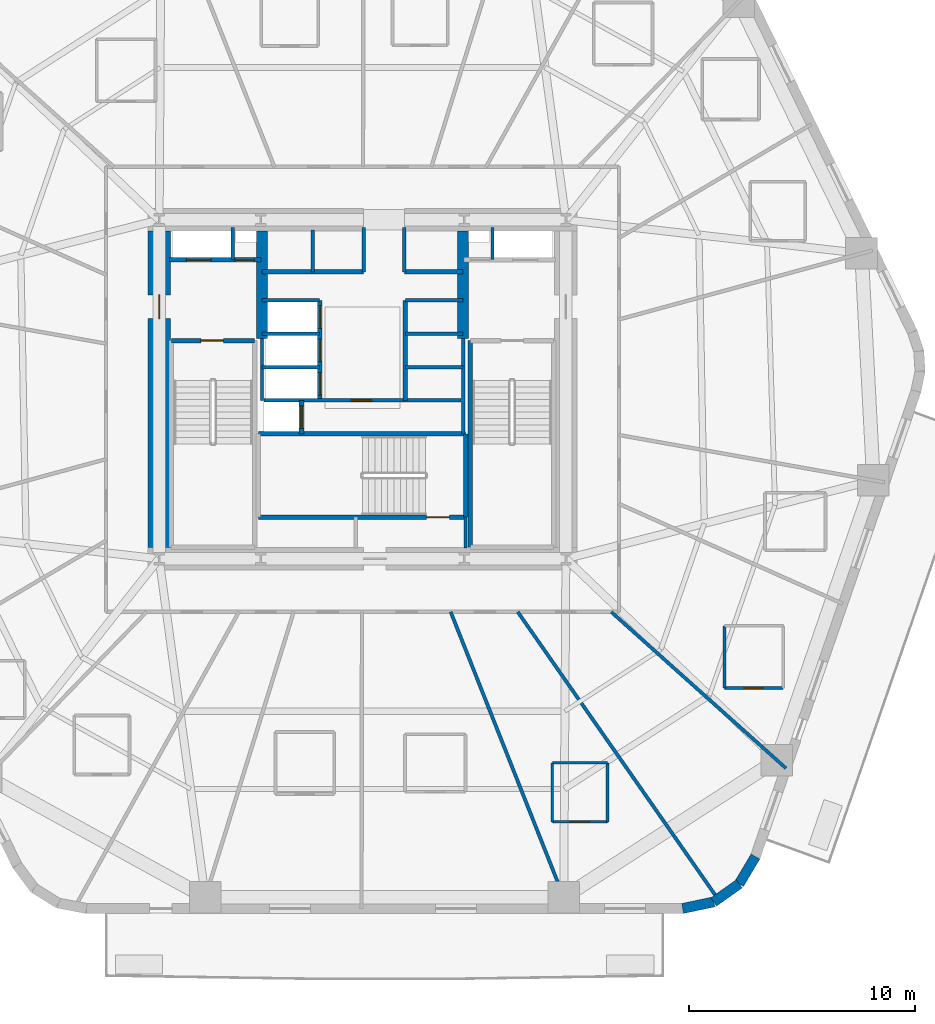
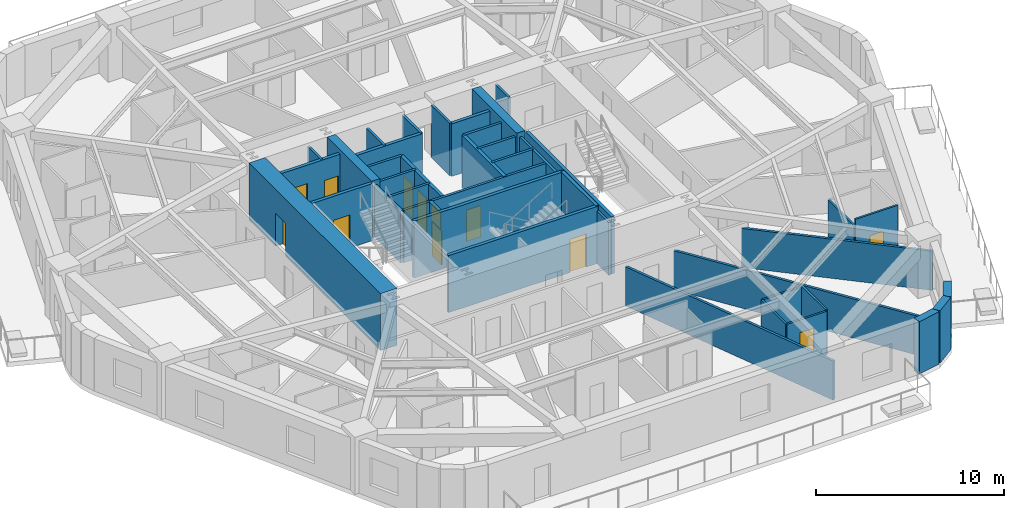
# One storey, part 4 of 11: 41 walls, 12 doors, 12 openings.
"""IFC4 building model written with IfcOpenShell, lengths in metres."""

from ifc_helpers import new_model, si_unit, direction, frame, frame_2d, origin, place, context, subcontext, project, spatial, rectangle, extrude, material, layer, layer_set, type_object, element, fill, save


model = new_model("IFC4")

# Units and contexts
model_context = context("Model", 3, precision=1e-05, world=origin(), true_north=direction((0.0, 1.0)))
body_context = subcontext(model_context, "Body", "Model", "MODEL_VIEW")
ifc_project = project(units=[si_unit("LENGTHUNIT", "METRE"), si_unit("AREAUNIT", "SQUARE_METRE"), si_unit("VOLUMEUNIT", "CUBIC_METRE"), si_unit("PLANEANGLEUNIT", "RADIAN"), si_unit("MASSUNIT", "GRAM", prefix="KILO")], contexts=[model_context])

# Site, building, storey
site_placement = place(None, origin())
site = spatial("IfcSite", under=ifc_project, at=site_placement, CompositionType="ELEMENT")
building_placement = place(site_placement, origin())
building = spatial("IfcBuilding", under=site, at=building_placement, Name="Kilnhurst Terrace Hotel", CompositionType="ELEMENT")
storey_placement = place(building_placement, frame((0.0, 0.0, 37.89990234375)))
storey = spatial("IfcBuildingStorey", under=building, at=storey_placement, Name="L07", CompositionType="ELEMENT", Elevation=37.89990234375)

# Walls
ifc_material_1 = material(Name="Precast concrete C40/50", Category="concrete")
ifc_layer_1 = layer(ifc_material_1, 0.449951171875, Name="Precast concrete C40/50")
ifc_layer_set_1 = layer_set([ifc_layer_1], Name="Precast concrete C40/50")
wall_type_1 = type_object("IfcWallType", Name="WL-BRK-450", PredefinedType="SOLIDWALL", material=ifc_layer_set_1)
wall_1_placement = place(storey_placement, frame((14.168212890625, -22.97509765625, 0.0), z_axis=(0.0, 0.0, 1.0), x_axis=(0.978770371074, 0.204959900243, 0.0)))
element("IfcWall", 1, at=wall_1_placement, inside=storey, type_object=wall_type_1, Name="L07 Rounded Corner Brick Wall C2.1", PredefinedType="SOLIDWALL", context=body_context, shape_type="SweptSolid", body=[
    extrude(rectangle(XDim=1.405517578125, YDim=0.449951171875, at=frame_2d((0.70263671875, 0.0))), origin(), (0.0, 0.0, 1.0), 3.400146484375),
])
wall_2_placement = place(storey_placement, frame((15.5439453125, -22.68701171875, 0.0), z_axis=(0.0, 0.0, 1.0), x_axis=(0.814210854316, 0.580569276412, 0.0)))
element("IfcWall", 2, at=wall_2_placement, inside=storey, type_object=wall_type_1, Name="L07 Rounded Corner Brick Wall C2.2", PredefinedType="SOLIDWALL", context=body_context, shape_type="SweptSolid", body=[
    extrude(rectangle(XDim=1.38134765625, YDim=0.449951171875, at=frame_2d((0.690673828125, 0.0))), origin(), (0.0, 0.0, 1.0), 3.400146484375),
])
wall_3_placement = place(storey_placement, frame((16.668701171875, -21.885009765625, 0.0), z_axis=(0.0, 0.0, 1.0), x_axis=(0.512936712947, 0.858426425799, 0.0)))
element("IfcWall", 3, at=wall_3_placement, inside=storey, type_object=wall_type_1, Name="L07 Rounded Corner Brick Wall C2.3", PredefinedType="SOLIDWALL", context=body_context, shape_type="SweptSolid", body=[
    extrude(rectangle(XDim=1.405517578125, YDim=0.449951171875, at=frame_2d((0.70263671875, 0.0))), origin(), (0.0, 0.0, 1.0), 3.400146484375),
])

# Wall, opening, door
ifc_material_2 = material(Name="Concrete C80/95", Category="concrete")
ifc_layer_2 = layer(ifc_material_2, 1.0, Name="Concrete C80/95")
ifc_layer_set_2 = layer_set([ifc_layer_2], Name="Concrete C80/95")
wall_type_2 = type_object("IfcWallType", Name="WL-CORE-1000", PredefinedType="SHEAR", material=ifc_layer_set_2)
wall_4_placement = place(storey_placement, frame((-9.0, -7.0, 0.0), z_axis=(0.0, 0.0, 1.0), x_axis=(0.0, 1.0, 0.0)))
wall_4 = element("IfcWall", 4, at=wall_4_placement, inside=storey, type_object=wall_type_2, Name="L07 Core West Shear Wall", PredefinedType="SHEAR", context=body_context, shape_type="SweptSolid", body=[
    extrude(rectangle(XDim=14.0, YDim=1.0, at=frame_2d((7.0, 0.0))), origin(), (0.0, 0.0, 1.0), 3.7001953125),
])
opening_1_placement = place(wall_4_placement, frame((10.125, 0.0, 0.0)))
opening_1 = element("IfcOpeningElement", 5, at=opening_1_placement, cuts=wall_4, Name="Opening D-90A", PredefinedType="OPENING", context=body_context, shape_type="SweptSolid", body=[
    extrude(rectangle(XDim=1.050048828125, YDim=2.14990234375, at=frame_2d((0.52490234375, 1.074951171875))), frame((0.0, 0.510009765625, 0.0), z_axis=(0.0, -1.0, 0.0), x_axis=(1.0, 0.0, 0.0)), (0.0, 0.0, 1.0), 1.02001953125),
])
ifc_material_3 = material(Name="Painted Hollow Metal Steel ASTM A36 Fire Door", Category="steel")
door_type_1 = type_object("IfcDoorType", Name="DR-FD90-1050", OperationType="NOTDEFINED", PredefinedType="DOOR", material=ifc_material_3)
door_1_placement = place(opening_1_placement, origin())
door_1 = element("IfcDoor", 6, at=door_1_placement, inside=storey, type_object=door_type_1, Name="L07 West Firefighting Lobby Door", OperationType="SINGLE_SWING_RIGHT", OverallHeight=2.14990234375, OverallWidth=1.050048828125, PredefinedType="DOOR", context=body_context, shape_type="SweptSolid", body=[
    extrude(rectangle(XDim=1.050048828125, YDim=2.14990234375, at=frame_2d((0.52490234375, 1.074951171875))), frame((0.0, 0.02490234375, 0.0), z_axis=(0.0, -1.0, 0.0), x_axis=(1.0, 0.0, 0.0)), (0.0, 0.0, 1.0), 0.050048828125),
])
fill(opening_1, door_1)

# Walls
ifc_material_4 = material(Name="Concrete C60/75", Category="concrete")
ifc_layer_3 = layer(ifc_material_4, 0.5, Name="Concrete C60/75")
ifc_layer_set_3 = layer_set([ifc_layer_3], Name="Concrete C60/75")
wall_type_3 = type_object("IfcWallType", Name="WL-CORE-WEB-500", PredefinedType="SHEAR", material=ifc_layer_set_3)
for number, where, z_axis, x_axis, name in (
    (7, (-4.449951171875, 2.25, 0.0), (0.0, 0.0, 1.0), (0.0, 1.0, 0.0), "L07 Core Internal West Shear Web"),
    (8, (4.449951171875, 2.25, 0.0), (0.0, 0.0, 1.0), (0.0, 1.0, 0.0), "L07 Core Internal East Shear Web"),
):
    element("IfcWall", number, at=place(storey_placement, frame(where, z_axis=z_axis, x_axis=x_axis)), inside=storey, type_object=wall_type_3, Name=name, PredefinedType="SHEAR", context=body_context, shape_type="SweptSolid", body=[
        extrude(rectangle(XDim=4.75, YDim=0.5, at=frame_2d((2.375, 0.0))), origin(), (0.0, 0.0, 1.0), 3.7001953125),
    ])
ifc_material_5 = material(Name="STC-58 Acoustic Twin-Frame Guestroom Demising Partition")
ifc_layer_4 = layer(ifc_material_5, 0.14990234375, Name="STC-58 Acoustic Twin-Frame Guestroom Demising Partition")
ifc_layer_set_4 = layer_set([ifc_layer_4], Name="STC-58 Acoustic Twin-Frame Guestroom Demising Partition")
wall_type_4 = type_object("IfcWallType", Name="WL-DEM-150", PredefinedType="PARTITIONING", material=ifc_layer_set_4)
wall_5_placement = place(storey_placement, frame((3.90185546875, -9.85009765625, 0.0), z_axis=(0.0, 0.0, 1.0), x_axis=(0.36828765711, -0.929711891728, 0.0)))
element("IfcWall", 9, at=wall_5_placement, inside=storey, type_object=wall_type_4, Name="L07 Interior Wall WL-L07-DEM-COL10-17-1", PredefinedType="PARTITIONING", context=body_context, shape_type="SweptSolid", body=[
    extrude(rectangle(XDim=14.1171875, YDim=0.14990234375, at=frame_2d((7.05859375, 0.0))), origin(), (0.0, 0.0, 1.0), 2.5400390625),
])
wall_6_placement = place(storey_placement, frame((6.869384765625, -9.85009765625, 0.0), z_axis=(0.0, 0.0, 1.0), x_axis=(0.572039834497, -0.820225839479, 0.0)))
element("IfcWall", 10, at=wall_6_placement, inside=storey, type_object=wall_type_4, Name="L07 Interior Wall WL-L07-DEM-MID10-18-1", PredefinedType="PARTITIONING", context=body_context, shape_type="SweptSolid", body=[
    extrude(rectangle(XDim=15.3291015625, YDim=0.14990234375, at=frame_2d((7.66455078125, 0.0))), origin(), (0.0, 0.0, 1.0), 2.5400390625),
])
wall_7_placement = place(storey_placement, frame((11.006591796875, -9.85009765625, 0.0), z_axis=(0.0, 0.0, 1.0), x_axis=(0.745177305978, -0.666866390407, 0.0)))
element("IfcWall", 11, at=wall_7_placement, inside=storey, type_object=wall_type_4, Name="L07 Interior Wall WL-L07-DEM-COL11-19-1", PredefinedType="PARTITIONING", context=body_context, shape_type="SweptSolid", body=[
    extrude(rectangle(XDim=10.375244140625, YDim=0.14990234375, at=frame_2d((5.1875, 0.0))), origin(), (0.0, 0.0, 1.0), 2.5400390625),
])

# Wall, opening, door
ifc_material_6 = material(Name="120 mm Moisture-Resistant Tile-Backed Bathroom Partition")
ifc_layer_5 = layer(ifc_material_6, 0.1201171875, Name="120 mm Moisture-Resistant Tile-Backed Bathroom Partition")
ifc_layer_set_5 = layer_set([ifc_layer_5], Name="120 mm Moisture-Resistant Tile-Backed Bathroom Partition")
wall_type_5 = type_object("IfcWallType", Name="WL-PART-120", PredefinedType="PARTITIONING", material=ifc_layer_set_5)
wall_8_placement = place(storey_placement, frame((8.39697265625, -19.14208984375, 0.0), z_axis=(0.0, 0.0, 1.0), x_axis=(1.0, 0.0, 0.0)))
wall_8 = element("IfcWall", 12, at=wall_8_placement, inside=storey, type_object=wall_type_5, Name="L07 Interior Wall WL-L07-BTH-17-1", PredefinedType="PARTITIONING", context=body_context, shape_type="SweptSolid", body=[
    extrude(rectangle(XDim=2.43994140625, YDim=0.1201171875, at=frame_2d((1.219970703125, 0.0))), origin(), (0.0, 0.0, 1.0), 2.840087890625),
])
opening_2_placement = place(wall_8_placement, frame((0.794921875, 0.0, 0.0)))
opening_2 = element("IfcOpeningElement", 13, at=opening_2_placement, cuts=wall_8, Name="Opening D-08A", PredefinedType="OPENING", context=body_context, shape_type="SweptSolid", body=[
    extrude(rectangle(XDim=0.85009765625, YDim=2.030029296875, at=frame_2d((0.425048828125, 1.01513671875))), frame((0.0, 0.070068359375, 0.0), z_axis=(0.0, -1.0, 0.0), x_axis=(1.0, 0.0, 0.0)), (0.0, 0.0, 1.0), 0.14013671875),
])
ifc_material_7 = material(Name="Moisture-Resistant Lacquered En-suite Bathroom Door")
door_type_2 = type_object("IfcDoorType", Name="DR-INT-850", OperationType="NOTDEFINED", PredefinedType="DOOR", material=ifc_material_7)
door_2_placement = place(opening_2_placement, origin())
door_2 = element("IfcDoor", 14, at=door_2_placement, inside=storey, type_object=door_type_2, Name="L07 En-suite Bathroom Door 17", OperationType="SINGLE_SWING_RIGHT", OverallHeight=2.030029296875, OverallWidth=0.85009765625, PredefinedType="DOOR", context=body_context, shape_type="SweptSolid", body=[
    extrude(rectangle(XDim=0.85009765625, YDim=2.030029296875, at=frame_2d((0.425048828125, 1.01513671875))), frame((0.0, 0.02490234375, 0.0), z_axis=(0.0, -1.0, 0.0), x_axis=(1.0, 0.0, 0.0)), (0.0, 0.0, 1.0), 0.050048828125),
])
fill(opening_2, door_2)

# Walls
wall_9_placement = place(storey_placement, frame((10.8369140625, -19.14208984375, 0.0), z_axis=(0.0, 0.0, 1.0), x_axis=(0.0, 1.0, 0.0)))
element("IfcWall", 15, at=wall_9_placement, inside=storey, type_object=wall_type_5, Name="L07 Interior Wall WL-L07-BTH-17-2", PredefinedType="PARTITIONING", context=body_context, shape_type="SweptSolid", body=[
    extrude(rectangle(XDim=2.610107421875, YDim=0.1201171875, at=frame_2d((1.30517578125, 0.0))), origin(), (0.0, 0.0, 1.0), 2.926513671875),
])
wall_10_placement = place(storey_placement, frame((10.8369140625, -16.531982421875, 0.0), z_axis=(0.0, 0.0, 1.0), x_axis=(-1.0, 0.0, 0.0)))
element("IfcWall", 16, at=wall_10_placement, inside=storey, type_object=wall_type_5, Name="L07 Interior Wall WL-L07-BTH-17-3", PredefinedType="PARTITIONING", context=body_context, shape_type="SweptSolid", body=[
    extrude(rectangle(XDim=2.43994140625, YDim=0.1201171875, at=frame_2d((1.219970703125, 0.0))), origin(), (0.0, 0.0, 1.0), 2.840087890625),
])
wall_11_placement = place(storey_placement, frame((8.39697265625, -16.531982421875, 0.0), z_axis=(0.0, 0.0, 1.0), x_axis=(0.0, -1.0, 0.0)))
element("IfcWall", 17, at=wall_11_placement, inside=storey, type_object=wall_type_5, Name="L07 Interior Wall WL-L07-BTH-17-4", PredefinedType="PARTITIONING", context=body_context, shape_type="SweptSolid", body=[
    extrude(rectangle(XDim=2.610107421875, YDim=0.1201171875, at=frame_2d((1.30517578125, 0.0))), origin(), (0.0, 0.0, 1.0), 2.840576171875),
])

# Wall, opening, door
wall_12_placement = place(storey_placement, frame((16.01904296875, -13.218994140625, 0.0), z_axis=(0.0, 0.0, 1.0), x_axis=(1.0, 0.0, 0.0)))
wall_12 = element("IfcWall", 18, at=wall_12_placement, inside=storey, type_object=wall_type_5, Name="L07 Interior Wall WL-L07-BTH-19-1", PredefinedType="PARTITIONING", context=body_context, shape_type="SweptSolid", body=[
    extrude(rectangle(XDim=2.599853515625, YDim=0.1201171875, at=frame_2d((1.2998046875, 0.0))), origin(), (0.0, 0.0, 1.0), 3.400146484375),
])
opening_3_placement = place(wall_12_placement, frame((0.875, 0.0, 0.0)))
opening_3 = element("IfcOpeningElement", 19, at=opening_3_placement, cuts=wall_12, Name="Opening D-08A", PredefinedType="OPENING", context=body_context, shape_type="SweptSolid", body=[
    extrude(rectangle(XDim=0.85009765625, YDim=2.030029296875, at=frame_2d((0.425048828125, 1.01513671875))), frame((0.0, 0.070068359375, 0.0), z_axis=(0.0, -1.0, 0.0), x_axis=(1.0, 0.0, 0.0)), (0.0, 0.0, 1.0), 0.14013671875),
])
door_3_placement = place(opening_3_placement, origin())
door_3 = element("IfcDoor", 20, at=door_3_placement, inside=storey, type_object=door_type_2, Name="L07 En-suite Bathroom Door 19", OperationType="SINGLE_SWING_RIGHT", OverallHeight=2.030029296875, OverallWidth=0.85009765625, PredefinedType="DOOR", context=body_context, shape_type="SweptSolid", body=[
    extrude(rectangle(XDim=0.85009765625, YDim=2.030029296875, at=frame_2d((0.425048828125, 1.01513671875))), frame((0.0, 0.02490234375, 0.0), z_axis=(0.0, -1.0, 0.0), x_axis=(1.0, 0.0, 0.0)), (0.0, 0.0, 1.0), 0.050048828125),
])
fill(opening_3, door_3)

# Walls
wall_13_placement = place(storey_placement, frame((16.01904296875, -10.468994140625, 0.0), z_axis=(0.0, 0.0, 1.0), x_axis=(0.0, -1.0, 0.0)))
element("IfcWall", 21, at=wall_13_placement, inside=storey, type_object=wall_type_5, Name="L07 Interior Wall WL-L07-BTH-19-4", PredefinedType="PARTITIONING", context=body_context, shape_type="SweptSolid", body=[
    extrude(rectangle(XDim=2.75, YDim=0.1201171875, at=frame_2d((1.375, 0.0))), origin(), (0.0, 0.0, 1.0), 2.972412109375),
])
ifc_material_8 = material(Name="Fire-Rated Gypsum Shaftliner Assembly")
ifc_layer_6 = layer(ifc_material_8, 0.14990234375, Name="Fire-Rated Gypsum Shaftliner Assembly")
ifc_layer_set_6 = layer_set([ifc_layer_6], Name="Fire-Rated Gypsum Shaftliner Assembly")
wall_type_6 = type_object("IfcWallType", Name="WL-SHAFT-150", PredefinedType="PARTITIONING", material=ifc_layer_set_6)
wall_14_placement = place(storey_placement, frame((4.55810546875, -7.02001953125, 0.0), z_axis=(0.0, 0.0, 1.0), x_axis=(0.0, 1.0, 0.0)))
element("IfcWall", 22, at=wall_14_placement, inside=storey, type_object=wall_type_6, Name="L07 Interior Wall WL-L07-ST3-PSGE", PredefinedType="PARTITIONING", context=body_context, shape_type="SweptSolid", body=[
    extrude(rectangle(XDim=1.362060546875, YDim=0.14990234375, at=frame_2d((0.68115234375, 0.0))), origin(), (0.0, 0.0, 1.0), 3.400146484375),
])
for number, where, z_axis, x_axis, name in (
    (23, (-5.75, 5.739990234375, 0.0), (0.0, 0.0, 1.0), (0.0, 1.0, 0.0), "L07 Interior Wall WL-L07-RIS1-DIV"),
    (24, (5.75, 5.739990234375, 0.0), (0.0, 0.0, 1.0), (0.0, 1.0, 0.0), "L07 Interior Wall WL-L07-RIS2-DIV"),
):
    element("IfcWall", number, at=place(storey_placement, frame(where, z_axis=z_axis, x_axis=x_axis)), inside=storey, type_object=wall_type_6, Name=name, PredefinedType="PARTITIONING", context=body_context, shape_type="SweptSolid", body=[
        extrude(rectangle(XDim=1.409912109375, YDim=0.14990234375, at=frame_2d((0.705078125, 0.0))), origin(), (0.0, 0.0, 1.0), 3.400146484375),
    ])
wall_15_placement = place(storey_placement, frame((-2.199951171875, 5.199951171875, 0.0), z_axis=(0.0, 0.0, 1.0), x_axis=(0.0, 1.0, 0.0)))
element("IfcWall", 25, at=wall_15_placement, inside=storey, type_object=wall_type_6, Name="L07 Interior Wall WL-L07-HR-DIV1", PredefinedType="PARTITIONING", context=body_context, shape_type="SweptSolid", body=[
    extrude(rectangle(XDim=1.85009765625, YDim=0.14990234375, at=frame_2d((0.925048828125, 0.0))), origin(), (0.0, 0.0, 1.0), 3.400146484375),
])
for number, where, z_axis, x_axis, name in (
    (26, (0.050048828125, 5.199951171875, 0.0), (0.0, 0.0, 1.0), (0.0, 1.0, 0.0), "L07 Interior Wall WL-L07-HR-PORTAL-W"),
    (27, (1.85009765625, 5.199951171875, 0.0), (0.0, 0.0, 1.0), (0.0, 1.0, 0.0), "L07 Interior Wall WL-L07-HR-PORTAL-E"),
):
    element("IfcWall", number, at=place(storey_placement, frame(where, z_axis=z_axis, x_axis=x_axis)), inside=storey, type_object=wall_type_6, Name=name, PredefinedType="PARTITIONING", context=body_context, shape_type="SweptSolid", body=[
        extrude(rectangle(XDim=1.949951171875, YDim=0.14990234375, at=frame_2d((0.97509765625, 0.0))), origin(), (0.0, 0.0, 1.0), 3.400146484375),
    ])
wall_16_placement = place(storey_placement, frame((-4.449951171875, -0.5, 0.0), z_axis=(0.0, 0.0, 1.0), x_axis=(0.0, 1.0, 0.0)))
element("IfcWall", 28, at=wall_16_placement, inside=storey, type_object=wall_type_6, Name="L07 Interior Wall WL-L07-XLOB-W", PredefinedType="PARTITIONING", context=body_context, shape_type="SweptSolid", body=[
    extrude(rectangle(XDim=2.75, YDim=0.14990234375, at=frame_2d((1.375, 0.0))), origin(), (0.0, 0.0, 1.0), 3.400146484375),
])
wall_17_placement = place(storey_placement, frame((4.449951171875, -1.971923828125, 0.0), z_axis=(0.0, 0.0, 1.0), x_axis=(0.0, 1.0, 0.0)))
element("IfcWall", 29, at=wall_17_placement, inside=storey, type_object=wall_type_6, Name="L07 Interior Wall WL-L07-XLOB-E", PredefinedType="PARTITIONING", context=body_context, shape_type="SweptSolid", body=[
    extrude(rectangle(XDim=4.221923828125, YDim=0.14990234375, at=frame_2d((2.11083984375, 0.0))), origin(), (0.0, 0.0, 1.0), 3.400146484375),
])
for number, where, z_axis, x_axis, name in (
    (30, (-4.449951171875, 3.93994140625, 0.0), (0.0, 0.0, 1.0), (1.0, 0.0, 0.0), "L07 Interior Wall WL-L07-LR-NORTH"),
    (31, (-4.449951171875, 0.97998046875, 0.0), (0.0, 0.0, 1.0), (1.0, 0.0, 0.0), "L07 Interior Wall WL-L07-LR-D1"),
    (32, (-4.449951171875, 2.4599609375, 0.0), (0.0, 0.0, 1.0), (1.0, 0.0, 0.0), "L07 Interior Wall WL-L07-LR-D2"),
    (33, (1.89990234375, 3.93994140625, 0.0), (0.0, 0.0, 1.0), (1.0, 0.0, 0.0), "L07 Interior Wall WL-L07-MR-NORTH"),
    (34, (1.89990234375, 0.97998046875, 0.0), (0.0, 0.0, 1.0), (1.0, 0.0, 0.0), "L07 Interior Wall WL-L07-MR-D1"),
    (35, (1.89990234375, 2.4599609375, 0.0), (0.0, 0.0, 1.0), (1.0, 0.0, 0.0), "L07 Interior Wall WL-L07-MR-D2"),
):
    element("IfcWall", number, at=place(storey_placement, frame(where, z_axis=z_axis, x_axis=x_axis)), inside=storey, type_object=wall_type_6, Name=name, PredefinedType="PARTITIONING", context=body_context, shape_type="SweptSolid", body=[
        extrude(rectangle(XDim=2.550048828125, YDim=0.14990234375, at=frame_2d((1.27490234375, 0.0))), origin(), (0.0, 0.0, 1.0), 3.400146484375),
    ])

# Wall, opening, door
wall_18_placement = place(storey_placement, frame((-4.360107421875, -0.489990234375, 0.0), z_axis=(0.0, 0.0, 1.0), x_axis=(1.0, 0.0, 0.0)))
wall_18 = element("IfcWall", 36, at=wall_18_placement, inside=storey, type_object=wall_type_6, Name="L07 Interior Wall WL-L07-BOH-N", PredefinedType="PARTITIONING", context=body_context, shape_type="SweptSolid", body=[
    extrude(rectangle(XDim=8.72021484375, YDim=0.14990234375, at=frame_2d((4.360107421875, 0.0))), origin(), (0.0, 0.0, 1.0), 3.400146484375),
])
opening_4_placement = place(wall_18_placement, frame((3.860107421875, 0.0, 0.0)))
opening_4 = element("IfcOpeningElement", 37, at=opening_4_placement, cuts=wall_18, Name="Opening D-60C", PredefinedType="OPENING", context=body_context, shape_type="SweptSolid", body=[
    extrude(rectangle(XDim=0.89990234375, YDim=2.030029296875, at=frame_2d((0.449951171875, 1.01513671875))), frame((0.0, 0.0849609375, 0.0), z_axis=(0.0, -1.0, 0.0), x_axis=(1.0, 0.0, 0.0)), (0.0, 0.0, 1.0), 0.169921875),
])
ifc_material_9 = material(Name="Painted Solid-Core Service Fire Door")
door_type_3 = type_object("IfcDoorType", Name="DR-FD60-900", OperationType="NOTDEFINED", PredefinedType="DOOR", material=ifc_material_9)
door_4_placement = place(opening_4_placement, origin())
door_4 = element("IfcDoor", 38, at=door_4_placement, inside=storey, type_object=door_type_3, Name="L07 Housekeeping Laundry Door", OperationType="SINGLE_SWING_LEFT", OverallHeight=2.030029296875, OverallWidth=0.89990234375, PredefinedType="DOOR", context=body_context, shape_type="SweptSolid", body=[
    extrude(rectangle(XDim=0.89990234375, YDim=2.030029296875, at=frame_2d((0.449951171875, 1.01513671875))), frame((0.0, 0.02490234375, 0.0), z_axis=(0.0, -1.0, 0.0), x_axis=(1.0, 0.0, 0.0)), (0.0, 0.0, 1.0), 0.050048828125),
])
fill(opening_4, door_4)

# Wall, openings, doors
ifc_material_10 = material(Name="Autoclaved Aerated Concrete C30/37 and Gypsum Shaft Assembly", Category="concrete")
ifc_layer_7 = layer(ifc_material_10, 0.199951171875, Name="Autoclaved Aerated Concrete C30/37 and Gypsum Shaft Assembly")
ifc_layer_set_7 = layer_set([ifc_layer_7], Name="Autoclaved Aerated Concrete C30/37 and Gypsum Shaft Assembly")
wall_type_7 = type_object("IfcWallType", Name="WL-SHAFT-200", PredefinedType="PARTITIONING", material=ifc_layer_set_7)
wall_19_placement = place(storey_placement, frame((-8.550048828125, 5.739990234375, 0.0), z_axis=(0.0, 0.0, 1.0), x_axis=(1.0, 0.0, 0.0)))
wall_19 = element("IfcWall", 39, at=wall_19_placement, inside=storey, type_object=wall_type_7, Name="L07 Interior Wall WL-L07-FSAE1-S", PredefinedType="PARTITIONING", context=body_context, shape_type="SweptSolid", body=[
    extrude(rectangle(XDim=4.050048828125, YDim=0.199951171875, at=frame_2d((2.02490234375, 0.0))), origin(), (0.0, 0.0, 1.0), 3.400146484375),
])
opening_5_placement = place(wall_19_placement, frame((0.75, 0.0, 0.0)))
opening_5 = element("IfcOpeningElement", 40, at=opening_5_placement, cuts=wall_19, Name="Opening LD-F1", PredefinedType="OPENING", context=body_context, shape_type="SweptSolid", body=[
    extrude(rectangle(XDim=1.10009765625, YDim=2.199951171875, at=frame_2d((0.550048828125, 1.10009765625))), frame((0.0, 0.10986328125, 0.0), z_axis=(0.0, -1.0, 0.0), x_axis=(1.0, 0.0, 0.0)), (0.0, 0.0, 1.0), 0.219970703125),
])
opening_6_placement = place(wall_19_placement, frame((2.89990234375, 0.0, 0.0)))
opening_6 = element("IfcOpeningElement", 41, at=opening_6_placement, cuts=wall_19, Name="Opening D-60D", PredefinedType="OPENING", context=body_context, shape_type="SweptSolid", body=[
    extrude(rectangle(XDim=0.85009765625, YDim=2.030029296875, at=frame_2d((0.425048828125, 1.01513671875))), frame((0.0, 0.10986328125, 0.0), z_axis=(0.0, -1.0, 0.0), x_axis=(1.0, 0.0, 0.0)), (0.0, 0.0, 1.0), 0.219970703125),
])
ifc_material_11 = material(Name="Painted Hollow Metal Steel ASTM A36 Riser Door", Category="steel")
door_type_4 = type_object("IfcDoorType", Name="DR-FD60-850", OperationType="NOTDEFINED", PredefinedType="DOOR", material=ifc_material_11)
door_5_placement = place(opening_6_placement, origin())
door_5 = element("IfcDoor", 42, at=door_5_placement, inside=storey, type_object=door_type_4, Name="L07 Electrical Riser Door", OperationType="SINGLE_SWING_LEFT", OverallHeight=2.030029296875, OverallWidth=0.85009765625, PredefinedType="DOOR", context=body_context, shape_type="SweptSolid", body=[
    extrude(rectangle(XDim=0.85009765625, YDim=2.030029296875, at=frame_2d((0.425048828125, 1.01513671875))), frame((0.0, 0.02490234375, 0.0), z_axis=(0.0, -1.0, 0.0), x_axis=(1.0, 0.0, 0.0)), (0.0, 0.0, 1.0), 0.050048828125),
])
fill(opening_6, door_5)
ifc_material_12 = material(Name="Bronze-Anodized Stainless Steel AISI 316L Sliding Door", Category="steel")
door_type_5 = type_object("IfcDoorType", Name="DR-LIFT-1100", OperationType="NOTDEFINED", PredefinedType="DOOR", material=ifc_material_12)
door_6_placement = place(opening_5_placement, origin())
door_6 = element("IfcDoor", 43, at=door_6_placement, inside=storey, type_object=door_type_5, Name="L07 FSAE-1 Landing Door", OperationType="SLIDING_TO_LEFT", OverallHeight=2.199951171875, OverallWidth=1.10009765625, PredefinedType="DOOR", context=body_context, shape_type="SweptSolid", body=[
    extrude(rectangle(XDim=1.10009765625, YDim=2.199951171875, at=frame_2d((0.550048828125, 1.10009765625))), frame((0.0, 0.02490234375, 0.0), z_axis=(0.0, -1.0, 0.0), x_axis=(1.0, 0.0, 0.0)), (0.0, 0.0, 1.0), 0.050048828125),
])
fill(opening_5, door_6)

# Wall, opening, door
wall_20_placement = place(storey_placement, frame((-2.699951171875, -1.971923828125, 0.0), z_axis=(0.0, 0.0, 1.0), x_axis=(0.0, 1.0, 0.0)))
wall_20 = element("IfcWall", 44, at=wall_20_placement, inside=storey, type_object=wall_type_7, Name="L07 Interior Wall WL-L07-SRV1-E", PredefinedType="PARTITIONING", context=body_context, shape_type="SweptSolid", body=[
    extrude(rectangle(XDim=1.471923828125, YDim=0.199951171875, at=frame_2d((0.73583984375, 0.0))), origin(), (0.0, 0.0, 1.0), 3.400146484375),
])
opening_7_placement = place(wall_20_placement, frame((0.239990234375, 0.0, 0.0)))
opening_7 = element("IfcOpeningElement", 45, at=opening_7_placement, cuts=wall_20, Name="Opening LD-SV", PredefinedType="OPENING", context=body_context, shape_type="SweptSolid", body=[
    extrude(rectangle(XDim=1.0, YDim=2.199951171875, at=frame_2d((0.5, 1.10009765625))), frame((0.0, 0.10986328125, 0.0), z_axis=(0.0, -1.0, 0.0), x_axis=(1.0, 0.0, 0.0)), (0.0, 0.0, 1.0), 0.219970703125),
])
door_type_6 = type_object("IfcDoorType", Name="DR-LIFT-1000", OperationType="NOTDEFINED", PredefinedType="DOOR", material=ifc_material_12)
door_7_placement = place(opening_7_placement, origin())
door_7 = element("IfcDoor", 46, at=door_7_placement, inside=storey, type_object=door_type_6, Name="L07 Service Lift SRV-1 Landing Door", OperationType="SLIDING_TO_LEFT", OverallHeight=2.199951171875, OverallWidth=1.0, PredefinedType="DOOR", context=body_context, shape_type="SweptSolid", body=[
    extrude(rectangle(XDim=1.0, YDim=2.199951171875, at=frame_2d((0.5, 1.10009765625))), frame((0.0, 0.02490234375, 0.0), z_axis=(0.0, -1.0, 0.0), x_axis=(1.0, 0.0, 0.0)), (0.0, 0.0, 1.0), 0.050048828125),
])
fill(opening_7, door_7)

# Walls
wall_21_placement = place(storey_placement, frame((-4.449951171875, 5.199951171875, 0.0), z_axis=(0.0, 0.0, 1.0), x_axis=(1.0, 0.0, 0.0)))
element("IfcWall", 47, at=wall_21_placement, inside=storey, type_object=wall_type_7, Name="L07 Interior Wall WL-L07-HR-SW", PredefinedType="PARTITIONING", context=body_context, shape_type="SweptSolid", body=[
    extrude(rectangle(XDim=4.5, YDim=0.199951171875, at=frame_2d((2.25, 0.0))), origin(), (0.0, 0.0, 1.0), 3.400146484375),
])
wall_22_placement = place(storey_placement, frame((1.85009765625, 5.199951171875, 0.0), z_axis=(0.0, 0.0, 1.0), x_axis=(1.0, 0.0, 0.0)))
element("IfcWall", 48, at=wall_22_placement, inside=storey, type_object=wall_type_7, Name="L07 Interior Wall WL-L07-HR-SE", PredefinedType="PARTITIONING", context=body_context, shape_type="SweptSolid", body=[
    extrude(rectangle(XDim=2.599853515625, YDim=0.199951171875, at=frame_2d((1.2998046875, 0.0))), origin(), (0.0, 0.0, 1.0), 3.400146484375),
])

# Wall, openings, doors
wall_23_placement = place(storey_placement, frame((-1.89990234375, -0.5, 0.0), z_axis=(0.0, 0.0, 1.0), x_axis=(0.0, 1.0, 0.0)))
wall_23 = element("IfcWall", 49, at=wall_23_placement, inside=storey, type_object=wall_type_7, Name="L07 Interior Wall WL-L07-LR-FRONT", PredefinedType="PARTITIONING", context=body_context, shape_type="SweptSolid", body=[
    extrude(rectangle(XDim=4.43994140625, YDim=0.199951171875, at=frame_2d((2.219970703125, 0.0))), origin(), (0.0, 0.0, 1.0), 3.400146484375),
])
opening_8_placement = place(wall_23_placement, frame((0.239990234375, 0.0, 0.0)))
opening_8 = element("IfcOpeningElement", 50, at=opening_8_placement, cuts=wall_23, Name="Opening LD-LR", PredefinedType="OPENING", context=body_context, shape_type="SweptSolid", body=[
    extrude(rectangle(XDim=1.0, YDim=2.199951171875, at=frame_2d((0.5, 1.10009765625))), frame((0.0, 0.10986328125, 0.0), z_axis=(0.0, -1.0, 0.0), x_axis=(1.0, 0.0, 0.0)), (0.0, 0.0, 1.0), 0.219970703125),
])
opening_9_placement = place(wall_23_placement, frame((1.719970703125, 0.0, 0.0)))
opening_9 = element("IfcOpeningElement", 51, at=opening_9_placement, cuts=wall_23, Name="Opening LD-LR", PredefinedType="OPENING", context=body_context, shape_type="SweptSolid", body=[
    extrude(rectangle(XDim=1.0, YDim=2.199951171875, at=frame_2d((0.5, 1.10009765625))), frame((0.0, 0.10986328125, 0.0), z_axis=(0.0, -1.0, 0.0), x_axis=(1.0, 0.0, 0.0)), (0.0, 0.0, 1.0), 0.219970703125),
])
opening_10_placement = place(wall_23_placement, frame((3.199951171875, 0.0, 0.0)))
opening_10 = element("IfcOpeningElement", 52, at=opening_10_placement, cuts=wall_23, Name="Opening LD-LR", PredefinedType="OPENING", context=body_context, shape_type="SweptSolid", body=[
    extrude(rectangle(XDim=1.0, YDim=2.199951171875, at=frame_2d((0.5, 1.10009765625))), frame((0.0, 0.10986328125, 0.0), z_axis=(0.0, -1.0, 0.0), x_axis=(1.0, 0.0, 0.0)), (0.0, 0.0, 1.0), 0.219970703125),
])
door_8_placement = place(opening_8_placement, origin())
door_8 = element("IfcDoor", 53, at=door_8_placement, inside=storey, type_object=door_type_6, Name="L07 Low Rise Lift LR-1 Landing Door", OperationType="SLIDING_TO_LEFT", OverallHeight=2.199951171875, OverallWidth=1.0, PredefinedType="DOOR", context=body_context, shape_type="SweptSolid", body=[
    extrude(rectangle(XDim=1.0, YDim=2.199951171875, at=frame_2d((0.5, 1.10009765625))), frame((0.0, 0.02490234375, 0.0), z_axis=(0.0, -1.0, 0.0), x_axis=(1.0, 0.0, 0.0)), (0.0, 0.0, 1.0), 0.050048828125),
])
fill(opening_8, door_8)
door_9_placement = place(opening_9_placement, origin())
door_9 = element("IfcDoor", 54, at=door_9_placement, inside=storey, type_object=door_type_6, Name="L07 Low Rise Lift LR-2 Landing Door", OperationType="SLIDING_TO_LEFT", OverallHeight=2.199951171875, OverallWidth=1.0, PredefinedType="DOOR", context=body_context, shape_type="SweptSolid", body=[
    extrude(rectangle(XDim=1.0, YDim=2.199951171875, at=frame_2d((0.5, 1.10009765625))), frame((0.0, 0.02490234375, 0.0), z_axis=(0.0, -1.0, 0.0), x_axis=(1.0, 0.0, 0.0)), (0.0, 0.0, 1.0), 0.050048828125),
])
fill(opening_9, door_9)
door_10_placement = place(opening_10_placement, origin())
door_10 = element("IfcDoor", 55, at=door_10_placement, inside=storey, type_object=door_type_6, Name="L07 Low Rise Lift LR-3 Landing Door", OperationType="SLIDING_TO_LEFT", OverallHeight=2.199951171875, OverallWidth=1.0, PredefinedType="DOOR", context=body_context, shape_type="SweptSolid", body=[
    extrude(rectangle(XDim=1.0, YDim=2.199951171875, at=frame_2d((0.5, 1.10009765625))), frame((0.0, 0.02490234375, 0.0), z_axis=(0.0, -1.0, 0.0), x_axis=(1.0, 0.0, 0.0)), (0.0, 0.0, 1.0), 0.050048828125),
])
fill(opening_10, door_10)

# Wall
wall_24_placement = place(storey_placement, frame((1.89990234375, -0.5, 0.0), z_axis=(0.0, 0.0, 1.0), x_axis=(0.0, 1.0, 0.0)))
element("IfcWall", 56, at=wall_24_placement, inside=storey, type_object=wall_type_7, Name="L07 Interior Wall WL-L07-MR-FRONT", PredefinedType="PARTITIONING", context=body_context, shape_type="SweptSolid", body=[
    extrude(rectangle(XDim=4.43994140625, YDim=0.199951171875, at=frame_2d((2.219970703125, 0.0))), origin(), (0.0, 0.0, 1.0), 3.400146484375),
])

# Wall, opening, door
ifc_material_13 = material(Name="Concrete C50/60", Category="concrete")
ifc_layer_8 = layer(ifc_material_13, 0.199951171875, Name="Concrete C50/60")
ifc_layer_set_8 = layer_set([ifc_layer_8], Name="Concrete C50/60")
wall_type_8 = type_object("IfcWallType", Name="WL-STAIR-RC-200", PredefinedType="SHEAR", material=ifc_layer_set_8)
wall_25_placement = place(storey_placement, frame((-8.4580078125, 2.157958984375, 0.0), z_axis=(0.0, 0.0, 1.0), x_axis=(1.0, 0.0, 0.0)))
wall_25 = element("IfcWall", 57, at=wall_25_placement, inside=storey, type_object=wall_type_8, Name="L07 Structural Stair Shaft Wall WL-L07-ST1-N", PredefinedType="SHEAR", context=body_context, shape_type="SweptSolid", body=[
    extrude(rectangle(XDim=3.68603515625, YDim=0.199951171875, at=frame_2d((1.843017578125, 0.0))), origin(), (0.0, 0.0, 1.0), 3.7001953125),
])
opening_11_placement = place(wall_25_placement, frame((1.300048828125, 0.0, 0.0)))
opening_11 = element("IfcOpeningElement", 58, at=opening_11_placement, cuts=wall_25, Name="Opening D-90B", PredefinedType="OPENING", context=body_context, shape_type="SweptSolid", body=[
    extrude(rectangle(XDim=1.0, YDim=2.14990234375, at=frame_2d((0.5, 1.074951171875))), frame((0.0, 0.10986328125, 0.0), z_axis=(0.0, -1.0, 0.0), x_axis=(1.0, 0.0, 0.0)), (0.0, 0.0, 1.0), 0.219970703125),
])
door_type_7 = type_object("IfcDoorType", Name="DR-FD90-1000", OperationType="NOTDEFINED", PredefinedType="DOOR", material=ifc_material_3)
door_11_placement = place(opening_11_placement, origin())
door_11 = element("IfcDoor", 59, at=door_11_placement, inside=storey, type_object=door_type_7, Name="L07 Stair ST-1 Door", OperationType="SINGLE_SWING_LEFT", OverallHeight=2.14990234375, OverallWidth=1.0, PredefinedType="DOOR", context=body_context, shape_type="SweptSolid", body=[
    extrude(rectangle(XDim=1.0, YDim=2.14990234375, at=frame_2d((0.5, 1.074951171875))), frame((0.0, 0.02490234375, 0.0), z_axis=(0.0, -1.0, 0.0), x_axis=(1.0, 0.0, 0.0)), (0.0, 0.0, 1.0), 0.050048828125),
])
fill(opening_11, door_11)

# Wall
wall_26_placement = place(storey_placement, frame((4.77197265625, -6.985107421875, 0.0), z_axis=(0.0, 0.0, 1.0), x_axis=(0.0, 1.0, 0.0)))
element("IfcWall", 60, at=wall_26_placement, inside=storey, type_object=wall_type_8, Name="L07 Structural Stair Shaft Wall WL-L07-ST2-W", PredefinedType="SHEAR", context=body_context, shape_type="SweptSolid", body=[
    extrude(rectangle(XDim=9.14306640625, YDim=0.199951171875, at=frame_2d((4.571533203125, 0.0))), origin(), (0.0, 0.0, 1.0), 3.7001953125),
])

# Wall, opening, door
wall_27_placement = place(storey_placement, frame((-4.60791015625, -5.657958984375, 0.0), z_axis=(0.0, 0.0, 1.0), x_axis=(1.0, 0.0, 0.0)))
wall_27 = element("IfcWall", 61, at=wall_27_placement, inside=storey, type_object=wall_type_8, Name="L07 Structural Stair Shaft Wall WL-L07-ST3-S", PredefinedType="SHEAR", context=body_context, shape_type="SweptSolid", body=[
    extrude(rectangle(XDim=9.166015625, YDim=0.199951171875, at=frame_2d((4.5830078125, 0.0))), origin(), (0.0, 0.0, 1.0), 3.7001953125),
])
opening_12_placement = place(wall_27_placement, frame((7.449951171875, 0.0, 0.0)))
opening_12 = element("IfcOpeningElement", 62, at=opening_12_placement, cuts=wall_27, Name="Opening D-90B", PredefinedType="OPENING", context=body_context, shape_type="SweptSolid", body=[
    extrude(rectangle(XDim=1.0, YDim=2.14990234375, at=frame_2d((0.5, 1.074951171875))), frame((0.0, 0.10986328125, 0.0), z_axis=(0.0, -1.0, 0.0), x_axis=(1.0, 0.0, 0.0)), (0.0, 0.0, 1.0), 0.219970703125),
])
door_12_placement = place(opening_12_placement, origin())
door_12 = element("IfcDoor", 63, at=door_12_placement, inside=storey, type_object=door_type_7, Name="L07 Stair ST-3 Shaft Door", OperationType="SINGLE_SWING_LEFT", OverallHeight=2.14990234375, OverallWidth=1.0, PredefinedType="DOOR", context=body_context, shape_type="SweptSolid", body=[
    extrude(rectangle(XDim=1.0, YDim=2.14990234375, at=frame_2d((0.5, 1.074951171875))), frame((0.0, 0.02490234375, 0.0), z_axis=(0.0, -1.0, 0.0), x_axis=(1.0, 0.0, 0.0)), (0.0, 0.0, 1.0), 0.050048828125),
])
fill(opening_12, door_12)

# Walls
wall_28_placement = place(storey_placement, frame((-4.60791015625, -1.971923828125, 0.0), z_axis=(0.0, 0.0, 1.0), x_axis=(1.0, 0.0, 0.0)))
element("IfcWall", 64, at=wall_28_placement, inside=storey, type_object=wall_type_8, Name="L07 Structural Stair Shaft Wall WL-L07-ST3-N", PredefinedType="SHEAR", context=body_context, shape_type="SweptSolid", body=[
    extrude(rectangle(XDim=9.166015625, YDim=0.199951171875, at=frame_2d((4.5830078125, 0.0))), origin(), (0.0, 0.0, 1.0), 3.7001953125),
])
wall_29_placement = place(storey_placement, frame((4.55810546875, -5.657958984375, 0.0), z_axis=(0.0, 0.0, 1.0), x_axis=(0.0, 1.0, 0.0)))
element("IfcWall", 65, at=wall_29_placement, inside=storey, type_object=wall_type_8, Name="L07 Structural Stair Shaft Wall WL-L07-ST3-E", PredefinedType="SHEAR", context=body_context, shape_type="SweptSolid", body=[
    extrude(rectangle(XDim=3.68603515625, YDim=0.199951171875, at=frame_2d((1.843017578125, 0.0))), origin(), (0.0, 0.0, 1.0), 3.7001953125),
])

save(model, "model.ifc")
